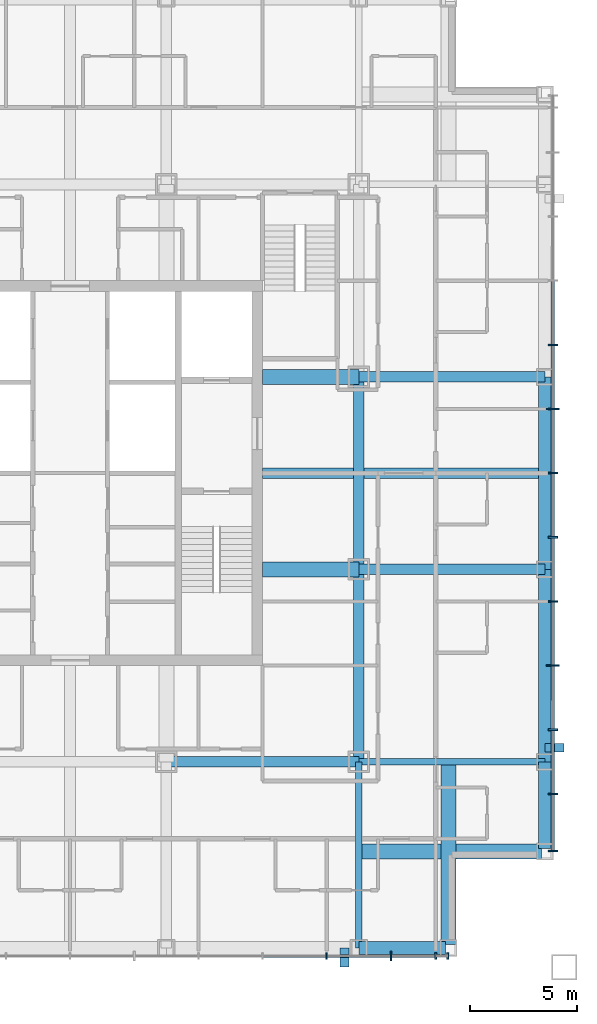
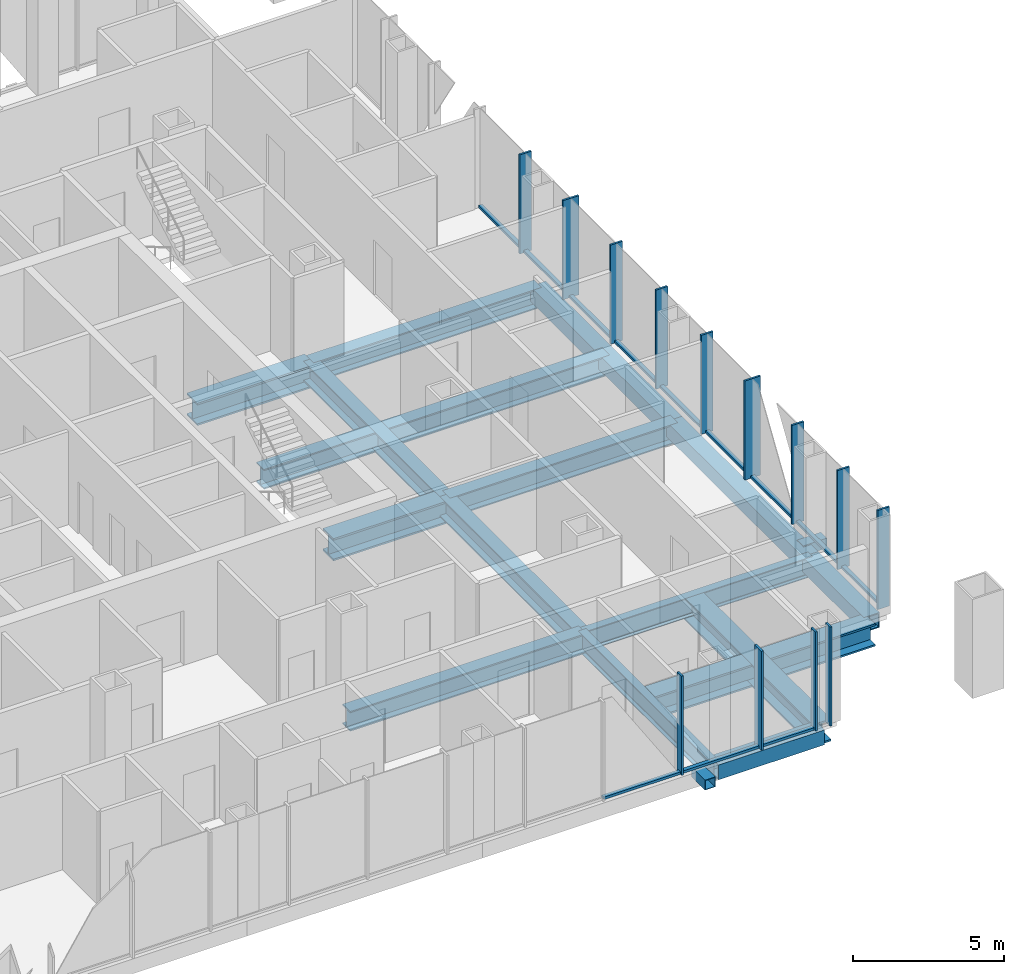
# One storey, part 3 of 18: 27 members, 16 beams, 2 elements without a shape of their own.
"""IFC4 building model written with IfcOpenShell, lengths in metres."""

from ifc_helpers import new_model, si_unit, direction, frame, origin, origin_2d, place, context, subcontext, project, spatial, rectangle, hollow_rectangle, i_section, extrude, material, layer, layer_set, material_profile, profile_set, type_object, element, aggregate, save


model = new_model("IFC4")

# Units and contexts
model_context = context("Model", 3, precision=1e-05, world=origin(), true_north=direction((0.0, 1.0)))
body_context = subcontext(model_context, "Body", "Model", "MODEL_VIEW")
ifc_project = project(units=[si_unit("LENGTHUNIT", "METRE"), si_unit("AREAUNIT", "SQUARE_METRE"), si_unit("VOLUMEUNIT", "CUBIC_METRE"), si_unit("PLANEANGLEUNIT", "RADIAN"), si_unit("MASSUNIT", "GRAM", prefix="KILO")], contexts=[model_context])

# Site, building, storey
site_placement = place(None, origin())
site = spatial("IfcSite", under=ifc_project, at=site_placement, CompositionType="ELEMENT")
building_placement = place(site_placement, origin())
building = spatial("IfcBuilding", under=site, at=building_placement, Name="Malebo Sky Hospital", CompositionType="ELEMENT")
storey_placement = place(building_placement, frame((0.0, 0.0, 225.0)))
storey = spatial("IfcBuildingStorey", under=building, at=storey_placement, Name="L54", CompositionType="ELEMENT", Elevation=225.0)

# Curtain wall, members
ifc_material_1 = material(Name="Anodised aluminium, natural silver", Category="aluminium")
ifc_layer_1 = layer(ifc_material_1, 0.25)
ifc_layer_set_1 = layer_set([ifc_layer_1], Name="WARD CURTAIN WALL NORTH AND SOUTH")
curtain_wall_type_1 = type_object("IfcCurtainWallType", Name="WARD CURTAIN WALL NORTH AND SOUTH", PredefinedType="NOTDEFINED", material=ifc_layer_set_1)
curtain_wall_1_placement = place(storey_placement, origin())
curtain_wall_1 = element("IfcCurtainWall", 1, at=curtain_wall_1_placement, inside=storey, type_object=curtain_wall_type_1, Name="NS curtain wall S", PredefinedType="NOTDEFINED")
ifc_material_profile_1 = material_profile(ifc_material_1, rectangle(XDim=0.14990234375, YDim=0.10009765625, at=origin_2d()), Name="ALUMINIUM TRANSOM 150x100")
ifc_profile_set_1 = profile_set([ifc_material_profile_1], Name="Anodised aluminium, natural silver")
member_type_1 = type_object("IfcMemberType", Name="ALUMINIUM TRANSOM 150x100", PredefinedType="USERDEFINED", material=ifc_profile_set_1)
member_1_placement = place(storey_placement, frame((77.0625, 39.425048828125, 0.050048828125), z_axis=(-1.0, 0.0, 0.0), x_axis=(0.0, -1.0, 0.0)))
member_1 = element("IfcMember", 2, at=member_1_placement, type_object=member_type_1, Name="Transom 2", ObjectType="TRANSOM", PredefinedType="USERDEFINED", context=body_context, shape_type="SweptSolid", body=[
    extrude(rectangle(XDim=0.14990234375, YDim=0.10009765625, at=origin_2d()), origin(), (0.0, 0.0, 1.0), 2.02490234375),
])
member_2_placement = place(storey_placement, frame((74.96240234375, 39.425048828125, 0.050048828125), z_axis=(-1.0, 0.0, 0.0), x_axis=(0.0, -1.0, 0.0)))
member_2 = element("IfcMember", 3, at=member_2_placement, type_object=member_type_1, Name="Transom 3", ObjectType="TRANSOM", PredefinedType="USERDEFINED", context=body_context, shape_type="SweptSolid", body=[
    extrude(rectangle(XDim=0.14990234375, YDim=0.10009765625, at=origin_2d()), origin(), (0.0, 0.0, 1.0), 2.9248046875),
])
member_3_placement = place(storey_placement, frame((71.96240234375, 39.425048828125, 0.050048828125), z_axis=(-1.0, 0.0, 0.0), x_axis=(0.0, -1.0, 0.0)))
member_3 = element("IfcMember", 4, at=member_3_placement, type_object=member_type_1, Name="Transom 4", ObjectType="TRANSOM", PredefinedType="USERDEFINED", context=body_context, shape_type="SweptSolid", body=[
    extrude(rectangle(XDim=0.14990234375, YDim=0.10009765625, at=origin_2d()), origin(), (0.0, 0.0, 1.0), 2.9248046875),
])

ifc_layer_2 = layer(ifc_material_1, 0.25)
ifc_layer_set_2 = layer_set([ifc_layer_2], Name="WARD CURTAIN WALL EAST AND WEST")
curtain_wall_type_2 = type_object("IfcCurtainWallType", Name="WARD CURTAIN WALL EAST AND WEST", PredefinedType="NOTDEFINED", material=ifc_layer_set_2)
curtain_wall_2_placement = place(storey_placement, origin())
curtain_wall_2 = element("IfcCurtainWall", 5, at=curtain_wall_2_placement, inside=storey, type_object=curtain_wall_type_2, Name="EW curtain wall E", PredefinedType="NOTDEFINED")
member_4_placement = place(storey_placement, frame((82.574951171875, 70.96240234375, 0.050048828125), z_axis=(0.0, -1.0, 0.0), x_axis=(1.0, 0.0, 0.0)))
member_4 = element("IfcMember", 6, at=member_4_placement, type_object=member_type_1, Name="Transom 5", ObjectType="TRANSOM", PredefinedType="USERDEFINED", context=body_context, shape_type="SweptSolid", body=[
    extrude(rectangle(XDim=0.14990234375, YDim=0.10009765625, at=origin_2d()), origin(), (0.0, 0.0, 1.0), 2.9248046875),
])
member_5_placement = place(storey_placement, frame((82.574951171875, 67.96240234375, 0.050048828125), z_axis=(0.0, -1.0, 0.0), x_axis=(1.0, 0.0, 0.0)))
member_5 = element("IfcMember", 7, at=member_5_placement, type_object=member_type_1, Name="Transom 6", ObjectType="TRANSOM", PredefinedType="USERDEFINED", context=body_context, shape_type="SweptSolid", body=[
    extrude(rectangle(XDim=0.14990234375, YDim=0.10009765625, at=origin_2d()), origin(), (0.0, 0.0, 1.0), 2.9248046875),
])
member_6_placement = place(storey_placement, frame((82.574951171875, 64.96240234375, 0.050048828125), z_axis=(0.0, -1.0, 0.0), x_axis=(1.0, 0.0, 0.0)))
member_6 = element("IfcMember", 8, at=member_6_placement, type_object=member_type_1, Name="Transom 7", ObjectType="TRANSOM", PredefinedType="USERDEFINED", context=body_context, shape_type="SweptSolid", body=[
    extrude(rectangle(XDim=0.14990234375, YDim=0.10009765625, at=origin_2d()), origin(), (0.0, 0.0, 1.0), 2.9248046875),
])
member_7_placement = place(storey_placement, frame((82.574951171875, 61.96240234375, 0.050048828125), z_axis=(0.0, -1.0, 0.0), x_axis=(1.0, 0.0, 0.0)))
member_7 = element("IfcMember", 9, at=member_7_placement, type_object=member_type_1, Name="Transom 8", ObjectType="TRANSOM", PredefinedType="USERDEFINED", context=body_context, shape_type="SweptSolid", body=[
    extrude(rectangle(XDim=0.14990234375, YDim=0.10009765625, at=origin_2d()), origin(), (0.0, 0.0, 1.0), 2.9248046875),
])
member_8_placement = place(storey_placement, frame((82.574951171875, 58.96240234375, 0.050048828125), z_axis=(0.0, -1.0, 0.0), x_axis=(1.0, 0.0, 0.0)))
member_8 = element("IfcMember", 10, at=member_8_placement, type_object=member_type_1, Name="Transom 9", ObjectType="TRANSOM", PredefinedType="USERDEFINED", context=body_context, shape_type="SweptSolid", body=[
    extrude(rectangle(XDim=0.14990234375, YDim=0.10009765625, at=origin_2d()), origin(), (0.0, 0.0, 1.0), 2.9248046875),
])
member_9_placement = place(storey_placement, frame((82.574951171875, 55.96240234375, 0.050048828125), z_axis=(0.0, -1.0, 0.0), x_axis=(1.0, 0.0, 0.0)))
member_9 = element("IfcMember", 11, at=member_9_placement, type_object=member_type_1, Name="Transom 10", ObjectType="TRANSOM", PredefinedType="USERDEFINED", context=body_context, shape_type="SweptSolid", body=[
    extrude(rectangle(XDim=0.14990234375, YDim=0.10009765625, at=origin_2d()), origin(), (0.0, 0.0, 1.0), 2.9248046875),
])
member_10_placement = place(storey_placement, frame((82.574951171875, 52.96240234375, 0.050048828125), z_axis=(0.0, -1.0, 0.0), x_axis=(1.0, 0.0, 0.0)))
member_10 = element("IfcMember", 12, at=member_10_placement, type_object=member_type_1, Name="Transom 11", ObjectType="TRANSOM", PredefinedType="USERDEFINED", context=body_context, shape_type="SweptSolid", body=[
    extrude(rectangle(XDim=0.14990234375, YDim=0.10009765625, at=origin_2d()), origin(), (0.0, 0.0, 1.0), 2.9248046875),
])
member_11_placement = place(storey_placement, frame((82.574951171875, 49.96240234375, 0.050048828125), z_axis=(0.0, -1.0, 0.0), x_axis=(1.0, 0.0, 0.0)))
member_11 = element("IfcMember", 13, at=member_11_placement, type_object=member_type_1, Name="Transom 12", ObjectType="TRANSOM", PredefinedType="USERDEFINED", context=body_context, shape_type="SweptSolid", body=[
    extrude(rectangle(XDim=0.14990234375, YDim=0.10009765625, at=origin_2d()), origin(), (0.0, 0.0, 1.0), 2.9248046875),
])
member_12_placement = place(storey_placement, frame((82.574951171875, 46.96240234375, 0.050048828125), z_axis=(0.0, -1.0, 0.0), x_axis=(1.0, 0.0, 0.0)))
member_12 = element("IfcMember", 14, at=member_12_placement, type_object=member_type_1, Name="Transom 13", ObjectType="TRANSOM", PredefinedType="USERDEFINED", context=body_context, shape_type="SweptSolid", body=[
    extrude(rectangle(XDim=0.14990234375, YDim=0.10009765625, at=origin_2d()), origin(), (0.0, 0.0, 1.0), 2.58740234375),
])

# Members
ifc_material_2 = material(Name="Steel S355", Category="steel")
ifc_material_profile_2 = material_profile(ifc_material_2, hollow_rectangle(XDim=0.39990234375, YDim=0.39990234375, WallThickness=0.02001953125, at=origin_2d()), Name="SHS 400x20")
ifc_profile_set_2 = profile_set([ifc_material_profile_2], Name="Steel S355")
member_type_2 = type_object("IfcMemberType", Name="BRACE STRUT SHS 400x20", PredefinedType="STRUT", material=ifc_profile_set_2)
for number, where, z_axis, x_axis, name in (
    (15, (72.833251953125, 38.89990234375, -0.39990234375), (0.0, 1.0, 0.0), (-1.0, 0.0, 0.0), "Brace strut CS2 L54"),
    (16, (83.10009765625, 49.166748046875, -0.39990234375), (-1.0, 0.0, 0.0), (0.0, -1.0, 0.0), "Brace strut CE1 L54"),
):
    element("IfcMember", number, at=place(storey_placement, frame(where, z_axis=z_axis, x_axis=x_axis)), inside=storey, type_object=member_type_2, Name=name, PredefinedType="STRUT", context=body_context, shape_type="SweptSolid", body=[
        extrude(hollow_rectangle(XDim=0.39990234375, YDim=0.39990234375, WallThickness=0.02001953125, at=origin_2d()), origin(), (0.0, 0.0, 1.0), 0.900146484375),
    ])

# Member
ifc_material_profile_3 = material_profile(ifc_material_1, rectangle(XDim=0.074951171875, YDim=0.300048828125, at=origin_2d()), Name="CW1 ALUMINIUM FIN MULLION 75x300")
ifc_profile_set_3 = profile_set([ifc_material_profile_3], Name="Anodised aluminium, natural silver")
member_type_3 = type_object("IfcMemberType", Name="CW1 ALUMINIUM FIN MULLION 75x300", PredefinedType="MULLION", material=ifc_profile_set_3)
member_13_placement = place(storey_placement, frame((77.66259765625, 39.425048828125, 0.0), z_axis=(0.0, 0.0, 1.0), x_axis=(-1.0, 0.0, 0.0)))
member_13 = element("IfcMember", 17, at=member_13_placement, type_object=member_type_3, Name="Fin mullion 1", PredefinedType="MULLION", context=body_context, shape_type="SweptSolid", body=[
    extrude(rectangle(XDim=0.074951171875, YDim=0.300048828125, at=origin_2d()), origin(), (0.0, 0.0, 1.0), 4.0),
])

member_14_placement = place(storey_placement, frame((77.10009765625, 39.425048828125, 0.0), z_axis=(0.0, 0.0, 1.0), x_axis=(-1.0, 0.0, 0.0)))
member_14 = element("IfcMember", 18, at=member_14_placement, type_object=member_type_3, Name="Fin mullion 2", PredefinedType="MULLION", context=body_context, shape_type="SweptSolid", body=[
    extrude(rectangle(XDim=0.074951171875, YDim=0.300048828125, at=origin_2d()), origin(), (0.0, 0.0, 1.0), 4.0),
])

member_15_placement = place(storey_placement, frame((72.0, 39.425048828125, 0.0), z_axis=(0.0, 0.0, 1.0), x_axis=(-1.0, 0.0, 0.0)))
member_15 = element("IfcMember", 19, at=member_15_placement, type_object=member_type_3, Name="Fin mullion 4", PredefinedType="MULLION", context=body_context, shape_type="SweptSolid", body=[
    extrude(rectangle(XDim=0.074951171875, YDim=0.300048828125, at=origin_2d()), origin(), (0.0, 0.0, 1.0), 4.0),
])

ifc_material_profile_4 = material_profile(ifc_material_1, rectangle(XDim=0.074951171875, YDim=0.449951171875, at=origin_2d()), Name="CW1 ALUMINIUM FIN MULLION 75x450")
ifc_profile_set_4 = profile_set([ifc_material_profile_4], Name="Anodised aluminium, natural silver")
member_type_4 = type_object("IfcMemberType", Name="CW1 ALUMINIUM FIN MULLION 75x450", PredefinedType="MULLION", material=ifc_profile_set_4)
member_16_placement = place(storey_placement, frame((75.0, 39.425048828125, 0.0), z_axis=(0.0, 0.0, 1.0), x_axis=(-1.0, 0.0, 0.0)))
member_16 = element("IfcMember", 20, at=member_16_placement, type_object=member_type_4, Name="Fin mullion 3", PredefinedType="MULLION", context=body_context, shape_type="SweptSolid", body=[
    extrude(rectangle(XDim=0.074951171875, YDim=0.449951171875, at=origin_2d()), origin(), (0.0, 0.0, 1.0), 4.0),
])

aggregate(curtain_wall_1, [member_13, member_14, member_16, member_15, member_1, member_2, member_3])

ifc_material_profile_5 = material_profile(ifc_material_1, rectangle(XDim=0.074951171875, YDim=0.449951171875, at=origin_2d()), Name="CW2 ALUMINIUM FIN MULLION 75x450")
ifc_profile_set_5 = profile_set([ifc_material_profile_5], Name="Anodised aluminium, natural silver")
member_type_5 = type_object("IfcMemberType", Name="CW2 ALUMINIUM FIN MULLION 75x450", PredefinedType="MULLION", material=ifc_profile_set_5)
member_17_placement = place(storey_placement, frame((82.574951171875, 68.0, 0.0), z_axis=(0.0, 0.0, 1.0), x_axis=(0.0, -1.0, 0.0)))
member_17 = element("IfcMember", 21, at=member_17_placement, type_object=member_type_5, Name="Fin mullion 6", PredefinedType="MULLION", context=body_context, shape_type="SweptSolid", body=[
    extrude(rectangle(XDim=0.074951171875, YDim=0.449951171875, at=origin_2d()), origin(), (0.0, 0.0, 1.0), 4.0),
])

member_18_placement = place(storey_placement, frame((82.574951171875, 62.0, 0.0), z_axis=(0.0, 0.0, 1.0), x_axis=(0.0, -1.0, 0.0)))
member_18 = element("IfcMember", 22, at=member_18_placement, type_object=member_type_5, Name="Fin mullion 8", PredefinedType="MULLION", context=body_context, shape_type="SweptSolid", body=[
    extrude(rectangle(XDim=0.074951171875, YDim=0.449951171875, at=origin_2d()), origin(), (0.0, 0.0, 1.0), 4.0),
])

member_19_placement = place(storey_placement, frame((82.574951171875, 59.0, 0.0), z_axis=(0.0, 0.0, 1.0), x_axis=(0.0, -1.0, 0.0)))
member_19 = element("IfcMember", 23, at=member_19_placement, type_object=member_type_5, Name="Fin mullion 9", PredefinedType="MULLION", context=body_context, shape_type="SweptSolid", body=[
    extrude(rectangle(XDim=0.074951171875, YDim=0.449951171875, at=origin_2d()), origin(), (0.0, 0.0, 1.0), 4.0),
])

member_20_placement = place(storey_placement, frame((82.574951171875, 56.0, 0.0), z_axis=(0.0, 0.0, 1.0), x_axis=(0.0, -1.0, 0.0)))
member_20 = element("IfcMember", 24, at=member_20_placement, type_object=member_type_5, Name="Fin mullion 10", PredefinedType="MULLION", context=body_context, shape_type="SweptSolid", body=[
    extrude(rectangle(XDim=0.074951171875, YDim=0.449951171875, at=origin_2d()), origin(), (0.0, 0.0, 1.0), 4.0),
])

member_21_placement = place(storey_placement, frame((82.574951171875, 50.0, 0.0), z_axis=(0.0, 0.0, 1.0), x_axis=(0.0, -1.0, 0.0)))
member_21 = element("IfcMember", 25, at=member_21_placement, type_object=member_type_5, Name="Fin mullion 12", PredefinedType="MULLION", context=body_context, shape_type="SweptSolid", body=[
    extrude(rectangle(XDim=0.074951171875, YDim=0.449951171875, at=origin_2d()), origin(), (0.0, 0.0, 1.0), 4.0),
])

member_22_placement = place(storey_placement, frame((82.574951171875, 47.0, 0.0), z_axis=(0.0, 0.0, 1.0), x_axis=(0.0, -1.0, 0.0)))
member_22 = element("IfcMember", 26, at=member_22_placement, type_object=member_type_5, Name="Fin mullion 13", PredefinedType="MULLION", context=body_context, shape_type="SweptSolid", body=[
    extrude(rectangle(XDim=0.074951171875, YDim=0.449951171875, at=origin_2d()), origin(), (0.0, 0.0, 1.0), 4.0),
])

member_23_placement = place(storey_placement, frame((82.574951171875, 44.33740234375, 0.0), z_axis=(0.0, 0.0, 1.0), x_axis=(0.0, -1.0, 0.0)))
member_23 = element("IfcMember", 27, at=member_23_placement, type_object=member_type_5, Name="Fin mullion 14", PredefinedType="MULLION", context=body_context, shape_type="SweptSolid", body=[
    extrude(rectangle(XDim=0.074951171875, YDim=0.449951171875, at=origin_2d()), origin(), (0.0, 0.0, 1.0), 4.0),
])

ifc_material_profile_6 = material_profile(ifc_material_1, rectangle(XDim=0.074951171875, YDim=0.60009765625, at=origin_2d()), Name="CW2 ALUMINIUM FIN MULLION 75x600")
ifc_profile_set_6 = profile_set([ifc_material_profile_6], Name="Anodised aluminium, natural silver")
member_type_6 = type_object("IfcMemberType", Name="CW2 ALUMINIUM FIN MULLION 75x600", PredefinedType="MULLION", material=ifc_profile_set_6)
member_24_placement = place(storey_placement, frame((82.574951171875, 65.0, 0.0), z_axis=(0.0, 0.0, 1.0), x_axis=(0.0, -1.0, 0.0)))
member_24 = element("IfcMember", 28, at=member_24_placement, type_object=member_type_6, Name="Fin mullion 7", PredefinedType="MULLION", context=body_context, shape_type="SweptSolid", body=[
    extrude(rectangle(XDim=0.074951171875, YDim=0.60009765625, at=origin_2d()), origin(), (0.0, 0.0, 1.0), 4.0),
])

member_25_placement = place(storey_placement, frame((82.574951171875, 53.0, 0.0), z_axis=(0.0, 0.0, 1.0), x_axis=(0.0, -1.0, 0.0)))
member_25 = element("IfcMember", 29, at=member_25_placement, type_object=member_type_6, Name="Fin mullion 11", PredefinedType="MULLION", context=body_context, shape_type="SweptSolid", body=[
    extrude(rectangle(XDim=0.074951171875, YDim=0.60009765625, at=origin_2d()), origin(), (0.0, 0.0, 1.0), 4.0),
])

aggregate(curtain_wall_2, [member_17, member_24, member_18, member_19, member_20, member_25, member_21, member_22, member_23, member_4, member_5, member_6, member_7, member_8, member_9, member_10, member_11, member_12])

# Beams
ifc_material_3 = material(Name="Steel S460", Category="steel")
ifc_material_profile_7 = material_profile(ifc_material_3, hollow_rectangle(XDim=0.60009765625, YDim=0.60009765625, WallThickness=0.0400390625, at=origin_2d()), Name="BOX 600x600x40")
ifc_profile_set_7 = profile_set([ifc_material_profile_7], Name="Steel S460")
beam_type_1 = type_object("IfcBeamType", Name="EDGE BEAM BOX 600x600x40", PredefinedType="BEAM", material=ifc_profile_set_7)
beam_1_placement = place(storey_placement, frame((82.199951171875, 44.449951171875, -0.550048828125), z_axis=(0.0, 1.0, 0.0), x_axis=(-1.0, 0.0, 0.0)))
element("IfcBeam", 30, at=beam_1_placement, inside=storey, type_object=beam_type_1, Name="Beam 029 L54", PredefinedType="BEAM", context=body_context, shape_type="SweptSolid", body=[
    extrude(hollow_rectangle(XDim=0.60009765625, YDim=0.60009765625, WallThickness=0.0400390625, at=origin_2d()), origin(), (0.0, 0.0, 1.0), 4.050048828125),
])
for number, where, z_axis, x_axis, name in (
    (31, (82.199951171875, 48.5, -0.550048828125), (0.0, 1.0, 0.0), (-1.0, 0.0, 0.0), "Beam 030 L54"),
    (32, (82.199951171875, 57.5, -0.550048828125), (0.0, 1.0, 0.0), (-1.0, 0.0, 0.0), "Beam 031 L54"),
):
    element("IfcBeam", number, at=place(storey_placement, frame(where, z_axis=z_axis, x_axis=x_axis)), inside=storey, type_object=beam_type_1, Name=name, PredefinedType="BEAM", context=body_context, shape_type="SweptSolid", body=[
        extrude(hollow_rectangle(XDim=0.60009765625, YDim=0.60009765625, WallThickness=0.0400390625, at=origin_2d()), origin(), (0.0, 0.0, 1.0), 9.0),
    ])
beam_2_placement = place(storey_placement, frame((73.5, 39.800048828125, -0.550048828125), z_axis=(1.0, 0.0, 0.0), x_axis=(0.0, 1.0, 0.0)))
element("IfcBeam", 33, at=beam_2_placement, inside=storey, type_object=beam_type_1, Name="Beam 038 L54", PredefinedType="BEAM", context=body_context, shape_type="SweptSolid", body=[
    extrude(hollow_rectangle(XDim=0.60009765625, YDim=0.60009765625, WallThickness=0.0400390625, at=origin_2d()), origin(), (0.0, 0.0, 1.0), 4.050048828125),
])
ifc_material_profile_8 = material_profile(ifc_material_2, i_section(OverallWidth=0.5, OverallDepth=0.800048828125, WebThickness=0.030029296875, FlangeThickness=0.050048828125, at=origin_2d()), Name="PG 800x500x30x50")
ifc_profile_set_8 = profile_set([ifc_material_profile_8], Name="Steel S355")
beam_type_2 = type_object("IfcBeamType", Name="FLOOR BEAM PG 800x500x30x50", PredefinedType="BEAM", material=ifc_profile_set_8)
for number, where, z_axis, x_axis, name in (
    (34, (73.5, 48.5, -0.64990234375), (0.0, 1.0, 0.0), (-1.0, 0.0, 0.0), "Beam 023 L54"),
    (35, (64.5, 48.5, -0.64990234375), (1.0, 0.0, 0.0), (0.0, 1.0, 0.0), "Beam 044 L54"),
):
    element("IfcBeam", number, at=place(storey_placement, frame(where, z_axis=z_axis, x_axis=x_axis)), inside=storey, type_object=beam_type_2, Name=name, PredefinedType="BEAM", context=body_context, shape_type="SweptSolid", body=[
        extrude(i_section(OverallWidth=0.5, OverallDepth=0.800048828125, WebThickness=0.030029296875, FlangeThickness=0.050048828125, at=origin_2d()), origin(), (0.0, 0.0, 1.0), 9.0),
    ])
beam_3_placement = place(storey_placement, frame((73.5, 57.5, -0.64990234375), z_axis=(1.0, 0.0, 0.0), x_axis=(0.0, 1.0, 0.0)))
element("IfcBeam", 36, at=beam_3_placement, inside=storey, type_object=beam_type_2, Name="Beam 049 L54", PredefinedType="BEAM", context=body_context, shape_type="SweptSolid", body=[
    extrude(i_section(OverallWidth=0.5, OverallDepth=0.800048828125, WebThickness=0.030029296875, FlangeThickness=0.050048828125, at=origin_2d()), origin(), (0.0, 0.0, 1.0), 8.699951171875),
])
beam_4_placement = place(storey_placement, frame((69.0, 62.0, -0.64990234375), z_axis=(1.0, 0.0, 0.0), x_axis=(0.0, 1.0, 0.0)))
element("IfcBeam", 37, at=beam_4_placement, inside=storey, type_object=beam_type_2, Name="Beam 051 L54", PredefinedType="BEAM", context=body_context, shape_type="SweptSolid", body=[
    extrude(i_section(OverallWidth=0.5, OverallDepth=0.800048828125, WebThickness=0.030029296875, FlangeThickness=0.050048828125, at=origin_2d()), origin(), (0.0, 0.0, 1.0), 13.199951171875),
])
beam_5_placement = place(storey_placement, frame((73.5, 66.5, -0.64990234375), z_axis=(1.0, 0.0, 0.0), x_axis=(0.0, 1.0, 0.0)))
element("IfcBeam", 38, at=beam_5_placement, inside=storey, type_object=beam_type_2, Name="Beam 055 L54", PredefinedType="BEAM", context=body_context, shape_type="SweptSolid", body=[
    extrude(i_section(OverallWidth=0.5, OverallDepth=0.800048828125, WebThickness=0.030029296875, FlangeThickness=0.050048828125, at=origin_2d()), origin(), (0.0, 0.0, 1.0), 8.699951171875),
])
ifc_material_profile_9 = material_profile(ifc_material_2, i_section(OverallWidth=0.699951171875, OverallDepth=0.89990234375, WebThickness=0.0400390625, FlangeThickness=0.070068359375, at=origin_2d()), Name="PG 900x700x40x70")
ifc_profile_set_9 = profile_set([ifc_material_profile_9], Name="Steel S355")
beam_type_3 = type_object("IfcBeamType", Name="FLOOR BEAM PG 900x700x40x70", PredefinedType="BEAM", material=ifc_profile_set_9)
for number, where, z_axis, x_axis, name in (
    (39, (77.699951171875, 39.949951171875, -0.699951171875), (0.0, 1.0, 0.0), (-1.0, 0.0, 0.0), "Beam 027 L54"),
    (40, (73.5, 44.300048828125, -0.699951171875), (1.0, 0.0, 0.0), (0.0, 1.0, 0.0), "Beam 040 L54"),
):
    element("IfcBeam", number, at=place(storey_placement, frame(where, z_axis=z_axis, x_axis=x_axis)), inside=storey, type_object=beam_type_3, Name=name, PredefinedType="BEAM", context=body_context, shape_type="SweptSolid", body=[
        extrude(i_section(OverallWidth=0.699951171875, OverallDepth=0.89990234375, WebThickness=0.0400390625, FlangeThickness=0.070068359375, at=origin_2d()), origin(), (0.0, 0.0, 1.0), 8.550048828125),
    ])
for number, where, z_axis, x_axis, name in (
    (41, (69.0, 57.5, -0.699951171875), (1.0, 0.0, 0.0), (0.0, 1.0, 0.0), "Beam 048 L54"),
    (42, (69.0, 66.5, -0.699951171875), (1.0, 0.0, 0.0), (0.0, 1.0, 0.0), "Beam 054 L54"),
):
    element("IfcBeam", number, at=place(storey_placement, frame(where, z_axis=z_axis, x_axis=x_axis)), inside=storey, type_object=beam_type_3, Name=name, PredefinedType="BEAM", context=body_context, shape_type="SweptSolid", body=[
        extrude(i_section(OverallWidth=0.699951171875, OverallDepth=0.89990234375, WebThickness=0.0400390625, FlangeThickness=0.070068359375, at=origin_2d()), origin(), (0.0, 0.0, 1.0), 4.5),
    ])
ifc_material_profile_10 = material_profile(ifc_material_2, i_section(OverallWidth=0.300048828125, OverallDepth=0.800048828125, WebThickness=0.017578125, FlangeThickness=0.032958984375, FilletRadius=0.030029296875, at=origin_2d()), Name="HEB 800")
ifc_profile_set_10 = profile_set([ifc_material_profile_10], Name="Steel S355")
beam_type_4 = type_object("IfcBeamType", Name="FLOOR GIRDER HEB 800", PredefinedType="BEAM", material=ifc_profile_set_10)
for number, where, z_axis, x_axis, name in (
    (43, (73.5, 39.800048828125, -0.64990234375), (0.0, 1.0, 0.0), (-1.0, 0.0, 0.0), "Beam 022 L54"),
    (44, (73.5, 48.5, -0.64990234375), (1.0, 0.0, 0.0), (0.0, 1.0, 0.0), "Beam 045 L54"),
):
    element("IfcBeam", number, at=place(storey_placement, frame(where, z_axis=z_axis, x_axis=x_axis)), inside=storey, type_object=beam_type_4, Name=name, PredefinedType="BEAM", context=body_context, shape_type="SweptSolid", body=[
        extrude(i_section(OverallWidth=0.300048828125, OverallDepth=0.800048828125, WebThickness=0.017578125, FlangeThickness=0.032958984375, FilletRadius=0.030029296875, at=origin_2d()), origin(), (0.0, 0.0, 1.0), 8.699951171875),
    ])
ifc_material_profile_11 = material_profile(ifc_material_2, i_section(OverallWidth=0.5, OverallDepth=0.800048828125, WebThickness=0.030029296875, FlangeThickness=0.050048828125, at=origin_2d()), Name="PG 800x500x30x50")
ifc_profile_set_11 = profile_set([ifc_material_profile_11], Name="Steel S355")
beam_type_5 = type_object("IfcBeamType", Name="RING GIRDER PG 800x500x30x50", PredefinedType="BEAM", material=ifc_profile_set_11)
beam_6_placement = place(storey_placement, frame((73.5, 57.5, -0.64990234375), z_axis=(0.0, 1.0, 0.0), x_axis=(-1.0, 0.0, 0.0)))
element("IfcBeam", 45, at=beam_6_placement, inside=storey, type_object=beam_type_5, Name="Beam 024 L54", PredefinedType="BEAM", context=body_context, shape_type="SweptSolid", body=[
    extrude(i_section(OverallWidth=0.5, OverallDepth=0.800048828125, WebThickness=0.030029296875, FlangeThickness=0.050048828125, at=origin_2d()), origin(), (0.0, 0.0, 1.0), 9.0),
])

save(model, "model.ifc")
